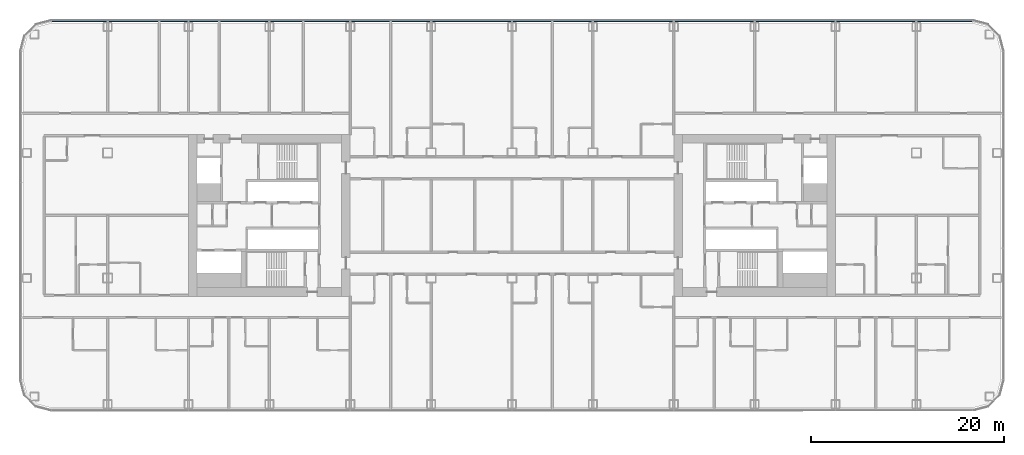
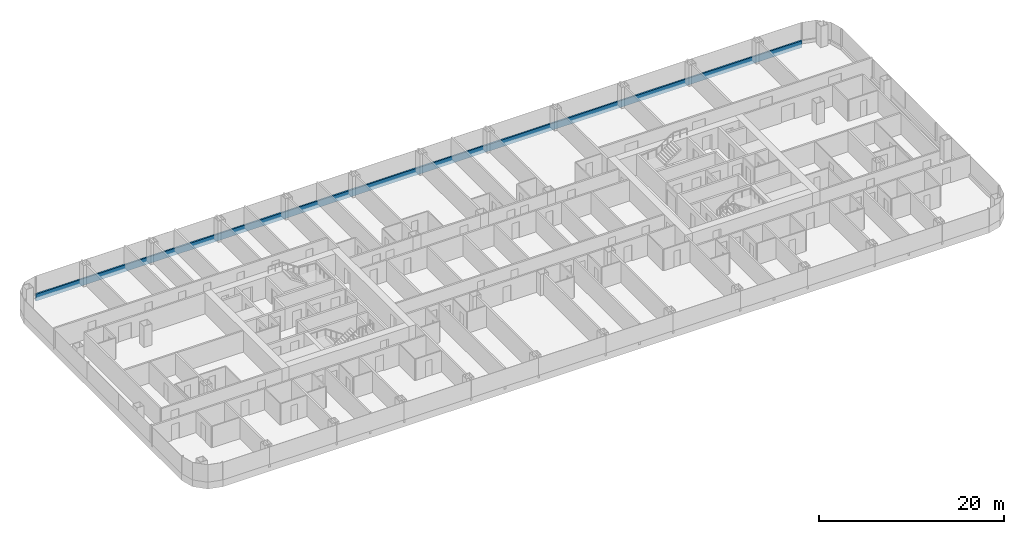
# One storey, part 8 of 29: 1 member, 1 element without a shape of its own.
"""IFC4 building model written with IfcOpenShell, lengths in metres."""

from ifc_helpers import new_model, si_unit, direction, frame, origin, origin_2d, place, context, subcontext, project, spatial, rectangle, extrude, material, layer, layer_set, material_profile, profile_set, type_object, element, aggregate, save


model = new_model("IFC4")

# Units and contexts
model_context = context("Model", 3, precision=1e-05, world=origin(), true_north=direction((0.0, 1.0)))
body_context = subcontext(model_context, "Body", "Model", "MODEL_VIEW")
ifc_project = project(units=[si_unit("LENGTHUNIT", "METRE"), si_unit("AREAUNIT", "SQUARE_METRE"), si_unit("VOLUMEUNIT", "CUBIC_METRE"), si_unit("PLANEANGLEUNIT", "RADIAN"), si_unit("MASSUNIT", "GRAM", prefix="KILO")], contexts=[model_context])

# Site, building, storey
site_placement = place(None, origin())
site = spatial("IfcSite", under=ifc_project, at=site_placement, CompositionType="ELEMENT")
building_placement = place(site_placement, origin())
building = spatial("IfcBuilding", under=site, at=building_placement, Name="Hakoniwa Tower and Hamabe Station Hall", CompositionType="ELEMENT")
storey_placement = place(building_placement, frame((0.0, 0.0, 29.39990234375)))
storey = spatial("IfcBuildingStorey", under=building, at=storey_placement, Name="L07", CompositionType="ELEMENT", Elevation=29.39990234375)

# Curtain wall, member
ifc_material_1 = material(Name="Dark low-e laminated glass", Category="glass")
ifc_layer = layer(ifc_material_1, 0.199951171875)
ifc_layer_set = layer_set([ifc_layer], Name="CW-1 UNITISED GUEST")
curtain_wall_type = type_object("IfcCurtainWallType", Name="CW-1 UNITISED GUEST", PredefinedType="NOTDEFINED", material=ifc_layer_set)
curtain_wall_placement = place(storey_placement, origin())
curtain_wall = element("IfcCurtainWall", 1, at=curtain_wall_placement, inside=storey, type_object=curtain_wall_type, Name="CW-1 curtain wall", PredefinedType="NOTDEFINED")
ifc_material_2 = material(Name="Aluminium 6063-T5 black anodised", Category="aluminium")
ifc_material_profile = material_profile(ifc_material_2, rectangle(XDim=0.199951171875, YDim=0.89990234375, at=origin_2d()), Name="CW SLAB-EDGE BAND 900X200")
ifc_profile_set = profile_set([ifc_material_profile], Name="Aluminium 6063-T5 black anodised")
member_type = type_object("IfcMemberType", Name="CW SLAB-EDGE BAND 900X200", PredefinedType="USERDEFINED", material=ifc_profile_set)
member_placement = place(storey_placement, frame((47.839599609375, 20.199951171875, -0.099853515625), z_axis=(-1.0, 0.0, 0.0), x_axis=(0.0, -1.0, 0.0)))
member = element("IfcMember", 2, at=member_placement, type_object=member_type, Name="CW-1 transom", ObjectType="TRANSOM", PredefinedType="USERDEFINED", context=body_context, shape_type="SweptSolid", body=[
    extrude(rectangle(XDim=0.199951171875, YDim=0.89990234375, at=origin_2d()), origin(), (0.0, 0.0, 1.0), 95.67919921875),
])
aggregate(curtain_wall, [member])

save(model, "model.ifc")
